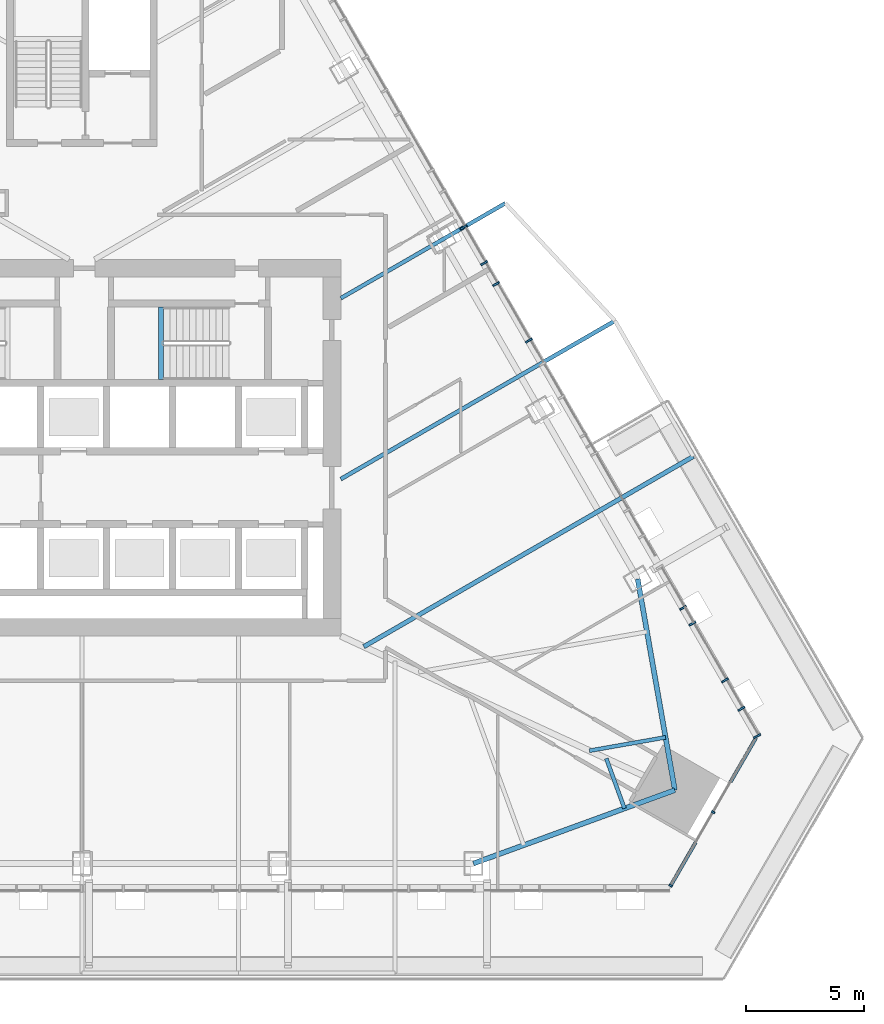
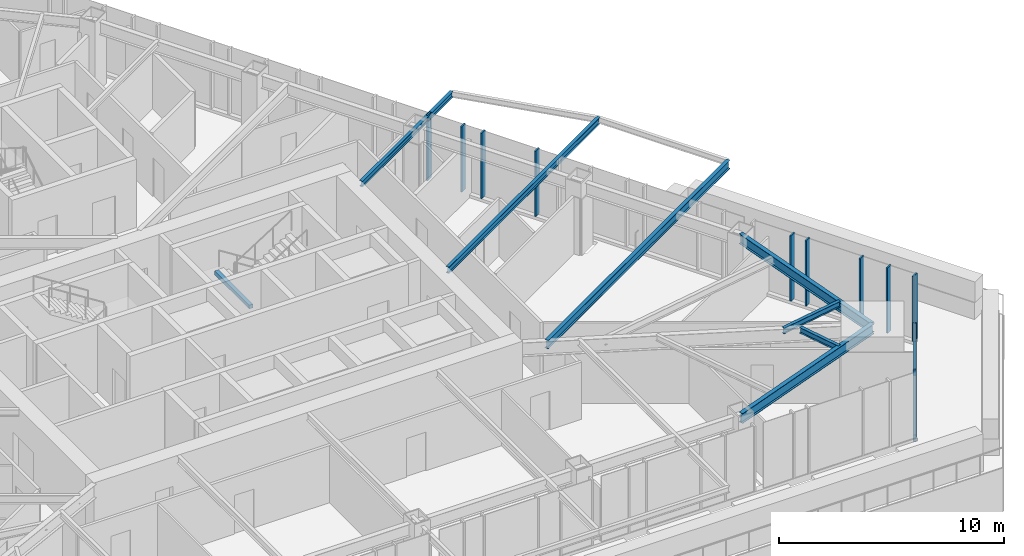
# One storey, part 5 of 21: 13 members, 8 beams, 2 elements without a shape of their own.
"""IFC4 building model written with IfcOpenShell, lengths in metres."""

from ifc_helpers import new_model, si_unit, direction, frame, origin, origin_2d, place, context, subcontext, project, spatial, rectangle, i_section, extrude, material, layer, layer_set, material_profile, profile_set, type_object, element, aggregate, save


model = new_model("IFC4")

# Units and contexts
model_context = context("Model", 3, precision=1e-05, world=origin(), true_north=direction((0.0, 1.0)))
body_context = subcontext(model_context, "Body", "Model", "MODEL_VIEW")
ifc_project = project(units=[si_unit("LENGTHUNIT", "METRE"), si_unit("AREAUNIT", "SQUARE_METRE"), si_unit("VOLUMEUNIT", "CUBIC_METRE"), si_unit("PLANEANGLEUNIT", "RADIAN"), si_unit("MASSUNIT", "GRAM", prefix="KILO")], contexts=[model_context])

# Site, building, storey
site_placement = place(None, origin())
site = spatial("IfcSite", under=ifc_project, at=site_placement, CompositionType="ELEMENT")
building_placement = place(site_placement, origin())
building = spatial("IfcBuilding", under=site, at=building_placement, Name="Firuza Gate Tower and Library", CompositionType="ELEMENT")
storey_placement = place(building_placement, frame((0.0, 0.0, 222.10009765625)))
storey = spatial("IfcBuildingStorey", under=building, at=storey_placement, Name="L52", CompositionType="ELEMENT", Elevation=222.10009765625)

# Curtain wall, members
ifc_material_1 = material(Name="Aluminium 6063-T6", Category="aluminium")
ifc_layer_1 = layer(ifc_material_1, 0.14990234375)
ifc_layer_set_1 = layer_set([ifc_layer_1], Name="Corner curtain wall, chamfers")
curtain_wall_type_1 = type_object("IfcCurtainWallType", Name="Corner curtain wall, chamfers", PredefinedType="NOTDEFINED", material=ifc_layer_set_1)
placement = place(storey_placement, origin())
curtain_wall_1 = element("IfcCurtainWall", 1, at=placement, inside=storey, type_object=curtain_wall_type_1, Name="CW4 L52 SE corner", PredefinedType="NOTDEFINED")
ifc_material_2 = material(Name="Aluminium 6063-T6", Category="aluminium")
ifc_material_profile_1 = material_profile(ifc_material_2, rectangle(XDim=0.14990234375, YDim=0.080078125, at=origin_2d()))
ifc_profile_set_1 = profile_set([ifc_material_profile_1], Name="Aluminium 6063-T6")
member_type_1 = type_object("IfcMemberType", Name="Curtain wall mullion 80x150", PredefinedType="MULLION", material=ifc_profile_set_1)
member_1_placement = place(storey_placement, frame((100.01611328125, 56.396240234375, 0.14990234375), z_axis=(0.0, 0.0, 1.0), x_axis=(-0.866025403784, 0.5, 0.0)))
member_1 = element("IfcMember", 2, at=member_1_placement, type_object=member_type_1, Name="Mullion", PredefinedType="MULLION", context=body_context, shape_type="SweptSolid", body=[
    extrude(rectangle(XDim=0.14990234375, YDim=0.080078125, at=origin_2d()), origin(), (0.0, 0.0, 1.0), 3.550048828125),
])
member_2_placement = place(storey_placement, frame((101.817626953125, 59.516845703125, 0.14990234375), z_axis=(0.0, 0.0, 1.0), x_axis=(-0.866025403784, 0.5, 0.0)))
member_2 = element("IfcMember", 3, at=member_2_placement, type_object=member_type_1, Name="Mullion", PredefinedType="MULLION", context=body_context, shape_type="SweptSolid", body=[
    extrude(rectangle(XDim=0.14990234375, YDim=0.080078125, at=origin_2d()), origin(), (0.0, 0.0, 1.0), 3.550048828125),
])

ifc_material_3 = material(Name="Aluminium 6063-T6", Category="aluminium")
ifc_layer_2 = layer(ifc_material_3, 0.14990234375)
ifc_layer_set_2 = layer_set([ifc_layer_2], Name="Unitised curtain wall, hotel")
curtain_wall_type_2 = type_object("IfcCurtainWallType", Name="Unitised curtain wall, hotel", PredefinedType="NOTDEFINED", material=ifc_layer_set_2)
curtain_wall_2 = element("IfcCurtainWall", 4, at=placement, inside=storey, type_object=curtain_wall_type_2, Name="CW2 L52 E face", PredefinedType="NOTDEFINED")
ifc_material_4 = material(Name="Aluminium 6063-T6", Category="aluminium")
ifc_material_profile_2 = material_profile(ifc_material_4, rectangle(XDim=0.320068359375, YDim=0.080078125, at=origin_2d()))
ifc_profile_set_2 = profile_set([ifc_material_profile_2], Name="Aluminium 6063-T6")
member_type_2 = type_object("IfcMemberType", Name="Curtain wall mullion 80x320", PredefinedType="MULLION", material=ifc_profile_set_2)
member_3_placement = place(storey_placement, frame((103.69287109375, 62.7490234375, 0.14990234375), z_axis=(0.0, 0.0, 1.0), x_axis=(-0.866025403784, -0.5, 0.0)))
member_3 = element("IfcMember", 5, at=member_3_placement, type_object=member_type_2, Name="Mullion", PredefinedType="MULLION", context=body_context, shape_type="SweptSolid", body=[
    extrude(rectangle(XDim=0.320068359375, YDim=0.080078125, at=origin_2d()), origin(), (0.0, 0.0, 1.0), 3.550048828125),
])
member_4_placement = place(storey_placement, frame((102.32421875, 65.11962890625, 0.14990234375), z_axis=(0.0, 0.0, 1.0), x_axis=(-0.866025403784, -0.5, 0.0)))
member_4 = element("IfcMember", 6, at=member_4_placement, type_object=member_type_2, Name="Mullion", PredefinedType="MULLION", context=body_context, shape_type="SweptSolid", body=[
    extrude(rectangle(XDim=0.320068359375, YDim=0.080078125, at=origin_2d()), origin(), (0.0, 0.0, 1.0), 3.550048828125),
])
member_5_placement = place(storey_placement, frame((100.935546875, 67.52490234375, 0.14990234375), z_axis=(0.0, 0.0, 1.0), x_axis=(-0.866025403784, -0.5, 0.0)))
member_5 = element("IfcMember", 7, at=member_5_placement, type_object=member_type_2, Name="Mullion", PredefinedType="MULLION", context=body_context, shape_type="SweptSolid", body=[
    extrude(rectangle(XDim=0.320068359375, YDim=0.080078125, at=origin_2d()), origin(), (0.0, 0.0, 1.0), 3.550048828125),
])
member_6_placement = place(storey_placement, frame((93.9921875, 79.55126953125, 0.14990234375), z_axis=(0.0, 0.0, 1.0), x_axis=(-0.866025403784, -0.5, 0.0)))
member_6 = element("IfcMember", 8, at=member_6_placement, type_object=member_type_2, Name="Mullion", PredefinedType="MULLION", context=body_context, shape_type="SweptSolid", body=[
    extrude(rectangle(XDim=0.320068359375, YDim=0.080078125, at=origin_2d()), origin(), (0.0, 0.0, 1.0), 3.550048828125),
])
member_7_placement = place(storey_placement, frame((92.603515625, 81.95654296875, 0.14990234375), z_axis=(0.0, 0.0, 1.0), x_axis=(-0.866025403784, -0.5, 0.0)))
member_7 = element("IfcMember", 9, at=member_7_placement, type_object=member_type_2, Name="Mullion", PredefinedType="MULLION", context=body_context, shape_type="SweptSolid", body=[
    extrude(rectangle(XDim=0.320068359375, YDim=0.080078125, at=origin_2d()), origin(), (0.0, 0.0, 1.0), 3.550048828125),
])
member_8_placement = place(storey_placement, frame((91.21484375, 84.36181640625, 0.14990234375), z_axis=(0.0, 0.0, 1.0), x_axis=(-0.866025403784, -0.5, 0.0)))
member_8 = element("IfcMember", 10, at=member_8_placement, type_object=member_type_2, Name="Mullion", PredefinedType="MULLION", context=body_context, shape_type="SweptSolid", body=[
    extrude(rectangle(XDim=0.320068359375, YDim=0.080078125, at=origin_2d()), origin(), (0.0, 0.0, 1.0), 3.550048828125),
])
member_9_placement = place(storey_placement, frame((103.0224609375, 63.91064453125, 0.14990234375), z_axis=(0.0, 0.0, 1.0), x_axis=(-0.866025403784, -0.5, 0.0)))
member_9 = element("IfcMember", 11, at=member_9_placement, type_object=member_type_2, Name="Mullion", PredefinedType="MULLION", context=body_context, shape_type="SweptSolid", body=[
    extrude(rectangle(XDim=0.320068359375, YDim=0.080078125, at=origin_2d()), origin(), (0.0, 0.0, 1.0), 3.550048828125),
])
member_10_placement = place(storey_placement, frame((100.546630859375, 68.19873046875, 0.14990234375), z_axis=(0.0, 0.0, 1.0), x_axis=(-0.866025403784, -0.5, 0.0)))
member_10 = element("IfcMember", 12, at=member_10_placement, type_object=member_type_2, Name="Mullion", PredefinedType="MULLION", context=body_context, shape_type="SweptSolid", body=[
    extrude(rectangle(XDim=0.320068359375, YDim=0.080078125, at=origin_2d()), origin(), (0.0, 0.0, 1.0), 3.550048828125),
])
member_11_placement = place(storey_placement, frame((92.091064453125, 82.84423828125, 0.14990234375), z_axis=(0.0, 0.0, 1.0), x_axis=(-0.866025403784, -0.5, 0.0)))
member_11 = element("IfcMember", 13, at=member_11_placement, type_object=member_type_2, Name="Mullion", PredefinedType="MULLION", context=body_context, shape_type="SweptSolid", body=[
    extrude(rectangle(XDim=0.320068359375, YDim=0.080078125, at=origin_2d()), origin(), (0.0, 0.0, 1.0), 3.550048828125),
])
aggregate(curtain_wall_2, [member_3, member_4, member_5, member_6, member_7, member_8, member_9, member_10, member_11])

# Member
ifc_material_5 = material(Name="Aluminium 6063-T6", Category="aluminium")
ifc_material_profile_3 = material_profile(ifc_material_5, rectangle(XDim=0.14990234375, YDim=0.35009765625, at=origin_2d()))
ifc_profile_set_3 = profile_set([ifc_material_profile_3], Name="Aluminium 6063-T6")
member_type_3 = type_object("IfcMemberType", Name="Curtain wall transom 350x150", PredefinedType="USERDEFINED", material=ifc_profile_set_3)
member_12_placement = place(storey_placement, frame((99.99609375, 56.361572265625, -0.025146484375), z_axis=(0.499950402033, 0.866054037291, 0.0), x_axis=(-0.866054037291, 0.499950402033, 0.0)))
member_12 = element("IfcMember", 14, at=member_12_placement, type_object=member_type_3, Name="Transom", ObjectType="TRANSOM", PredefinedType="USERDEFINED", context=body_context, shape_type="SweptSolid", body=[
    extrude(rectangle(XDim=0.14990234375, YDim=0.35009765625, at=origin_2d()), origin(), (0.0, 0.0, 1.0), 2.163330078125),
])

member_13_placement = place(storey_placement, frame((102.5576171875, 60.798583984375, -0.025146484375), z_axis=(0.500083913605, 0.865976950821, 0.0), x_axis=(-0.865976950821, 0.500083913605, 0.0)))
member_13 = element("IfcMember", 15, at=member_13_placement, type_object=member_type_3, Name="Transom", ObjectType="TRANSOM", PredefinedType="USERDEFINED", context=body_context, shape_type="SweptSolid", body=[
    extrude(rectangle(XDim=0.14990234375, YDim=0.35009765625, at=origin_2d()), origin(), (0.0, 0.0, 1.0), 2.163330078125),
])

aggregate(curtain_wall_1, [member_1, member_2, member_12, member_13])

# Beams
ifc_material_6 = material(Name="Concrete C35/45", Category="concrete")
ifc_material_profile_4 = material_profile(ifc_material_6, rectangle(XDim=0.199951171875, YDim=0.199951171875, at=origin_2d()))
ifc_profile_set_4 = profile_set([ifc_material_profile_4], Name="Concrete C35/45")
beam_type_1 = type_object("IfcBeamType", Name="Stair landing bearer 200x200", PredefinedType="BEAM", material=ifc_profile_set_4)
beam_1_placement = place(storey_placement, frame((78.360107421875, 80.97998046875, 1.64990234375), z_axis=(0.0, -1.0, 0.0), x_axis=(1.0, 0.0, 0.0)))
element("IfcBeam", 16, at=beam_1_placement, inside=storey, type_object=beam_type_1, Name="Landing bearer L52 stair 2", PredefinedType="BEAM", context=body_context, shape_type="SweptSolid", body=[
    extrude(rectangle(XDim=0.199951171875, YDim=0.199951171875, at=origin_2d()), origin(), (0.0, 0.0, 1.0), 3.080078125),
])
ifc_material_7 = material(Name="Steel S355", Category="steel")
ifc_material_profile_5 = material_profile(ifc_material_7, i_section(OverallWidth=0.1650390625, OverallDepth=0.31005859375, WebThickness=0.005859375, FlangeThickness=0.009765625, at=origin_2d()))
ifc_profile_set_5 = profile_set([ifc_material_profile_5], Name="Steel S355")
beam_type_2 = type_object("IfcBeamType", Name="W310x39 Floor beam", PredefinedType="JOIST", material=ifc_profile_set_5)
beam_2_placement = place(storey_placement, frame((98.05419921875, 59.6748046875, 3.544921875), z_axis=(-0.342237584448, 0.939613450197, 0.0), x_axis=(-0.939613450197, -0.342237584448, 0.0)))
element("IfcBeam", 17, at=beam_2_placement, inside=storey, type_object=beam_type_2, Name="Floor beam L52 s31", PredefinedType="JOIST", context=body_context, shape_type="SweptSolid", body=[
    extrude(i_section(OverallWidth=0.1650390625, OverallDepth=0.31005859375, WebThickness=0.005859375, FlangeThickness=0.009765625, at=origin_2d()), origin(), (0.0, 0.0, 1.0), 2.25927734375),
])
beam_3_placement = place(storey_placement, frame((99.799072265625, 62.697021484375, 3.544921875), z_axis=(-0.984853837144, -0.173386618467, 0.0), x_axis=(0.173386618467, -0.984853837144, 0.0)))
element("IfcBeam", 18, at=beam_3_placement, inside=storey, type_object=beam_type_2, Name="Floor beam L52 s40", PredefinedType="JOIST", context=body_context, shape_type="SweptSolid", body=[
    extrude(i_section(OverallWidth=0.1650390625, OverallDepth=0.31005859375, WebThickness=0.005859375, FlangeThickness=0.009765625, at=origin_2d()), origin(), (0.0, 0.0, 1.0), 3.28369140625),
])
beam_4_placement = place(storey_placement, frame((92.988525390625, 85.385498046875, 3.544921875), z_axis=(-0.866033938095, -0.49998521785, 0.0), x_axis=(0.49998521785, -0.866033938095, 0.0)))
element("IfcBeam", 19, at=beam_4_placement, inside=storey, type_object=beam_type_2, Name="Floor beam L52 s52", PredefinedType="JOIST", context=body_context, shape_type="SweptSolid", body=[
    extrude(i_section(OverallWidth=0.1650390625, OverallDepth=0.31005859375, WebThickness=0.005859375, FlangeThickness=0.009765625, at=origin_2d()), origin(), (0.0, 0.0, 1.0), 8.069580078125),
])
ifc_material_8 = material(Name="Steel S355", Category="steel")
ifc_material_profile_6 = material_profile(ifc_material_8, i_section(OverallWidth=0.1708984375, OverallDepth=0.35498046875, WebThickness=0.007080078125, FlangeThickness=0.01171875, at=origin_2d()))
ifc_profile_set_6 = profile_set([ifc_material_profile_6], Name="Steel S355")
beam_type_3 = type_object("IfcBeamType", Name="W360x51 Floor beam", PredefinedType="JOIST", material=ifc_profile_set_6)
beam_5_placement = place(storey_placement, frame((97.651123046875, 80.39404296875, 3.5224609375), z_axis=(-0.866032372853, -0.499987929025, 0.0), x_axis=(0.499987929025, -0.866032372853, 0.0)))
element("IfcBeam", 20, at=beam_5_placement, inside=storey, type_object=beam_type_3, Name="Floor beam L52 s51", PredefinedType="JOIST", context=body_context, shape_type="SweptSolid", body=[
    extrude(i_section(OverallWidth=0.1708984375, OverallDepth=0.35498046875, WebThickness=0.007080078125, FlangeThickness=0.01171875, at=origin_2d()), origin(), (0.0, 0.0, 1.0), 13.453369140625),
])
ifc_material_9 = material(Name="Steel S355", Category="steel")
ifc_material_profile_7 = material_profile(ifc_material_9, i_section(OverallWidth=0.18994140625, OverallDepth=0.45703125, WebThickness=0.009033203125, FlangeThickness=0.014404296875, at=origin_2d()))
ifc_profile_set_7 = profile_set([ifc_material_profile_7], Name="Steel S355")
beam_type_4 = type_object("IfcBeamType", Name="W460x74 Floor beam", PredefinedType="JOIST", material=ifc_profile_set_7)
beam_6_placement = place(storey_placement, frame((100.97802734375, 74.631591796875, 3.471435546875), z_axis=(-0.866025380805, -0.500000039801, 0.0), x_axis=(0.500000039801, -0.866025380805, 0.0)))
element("IfcBeam", 21, at=beam_6_placement, inside=storey, type_object=beam_type_4, Name="Floor beam L52 s50", PredefinedType="JOIST", context=body_context, shape_type="SweptSolid", body=[
    extrude(i_section(OverallWidth=0.18994140625, OverallDepth=0.45703125, WebThickness=0.009033203125, FlangeThickness=0.014404296875, at=origin_2d()), origin(), (0.0, 0.0, 1.0), 16.16552734375),
])
ifc_material_10 = material(Name="Steel S355", Category="steel")
ifc_material_profile_8 = material_profile(ifc_material_10, i_section(OverallWidth=0.212890625, OverallDepth=0.5390625, WebThickness=0.01171875, FlangeThickness=0.018798828125, at=origin_2d()))
ifc_profile_set_8 = profile_set([ifc_material_profile_8], Name="Steel S355")
beam_type_5 = type_object("IfcBeamType", Name="W530x109 Edge beam", PredefinedType="SPANDREL", material=ifc_profile_set_8)
beam_7_placement = place(storey_placement, frame((91.63525390625, 57.336669921875, 3.430419921875), z_axis=(0.939600763384, 0.342272414092, 0.0), x_axis=(-0.342272414092, 0.939600763384, 0.0)))
element("IfcBeam", 22, at=beam_7_placement, inside=storey, type_object=beam_type_5, Name="Edge beam L52 e30", PredefinedType="SPANDREL", context=body_context, shape_type="SweptSolid", body=[
    extrude(i_section(OverallWidth=0.212890625, OverallDepth=0.5390625, WebThickness=0.01171875, FlangeThickness=0.018798828125, at=origin_2d()), origin(), (0.0, 0.0, 1.0), 9.108642578125),
])
beam_8_placement = place(storey_placement, frame((100.19384765625, 60.454345703125, 3.430419921875), z_axis=(-0.173384722592, 0.984854170916, 0.0), x_axis=(-0.984854170916, -0.173384722592, 0.0)))
element("IfcBeam", 23, at=beam_8_placement, inside=storey, type_object=beam_type_5, Name="Edge beam L52 e40", PredefinedType="SPANDREL", context=body_context, shape_type="SweptSolid", body=[
    extrude(i_section(OverallWidth=0.212890625, OverallDepth=0.5390625, WebThickness=0.01171875, FlangeThickness=0.018798828125, at=origin_2d()), origin(), (0.0, 0.0, 1.0), 9.10888671875),
])

save(model, "model.ifc")
